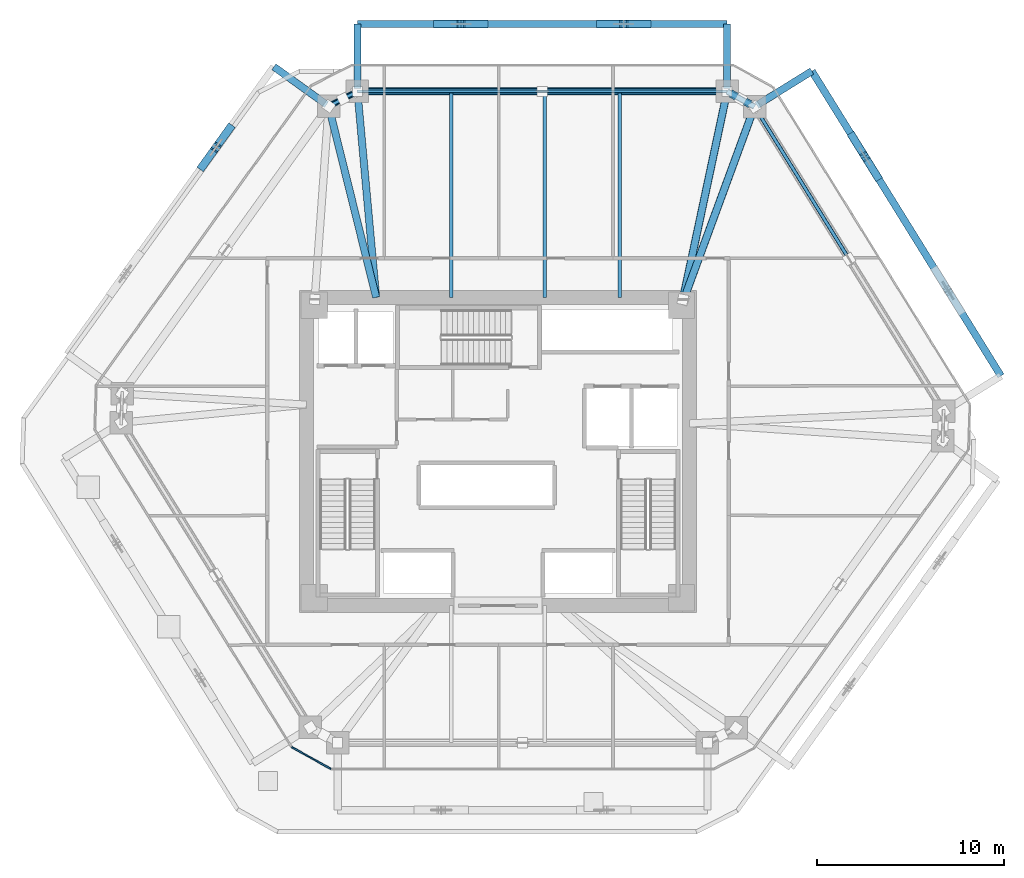
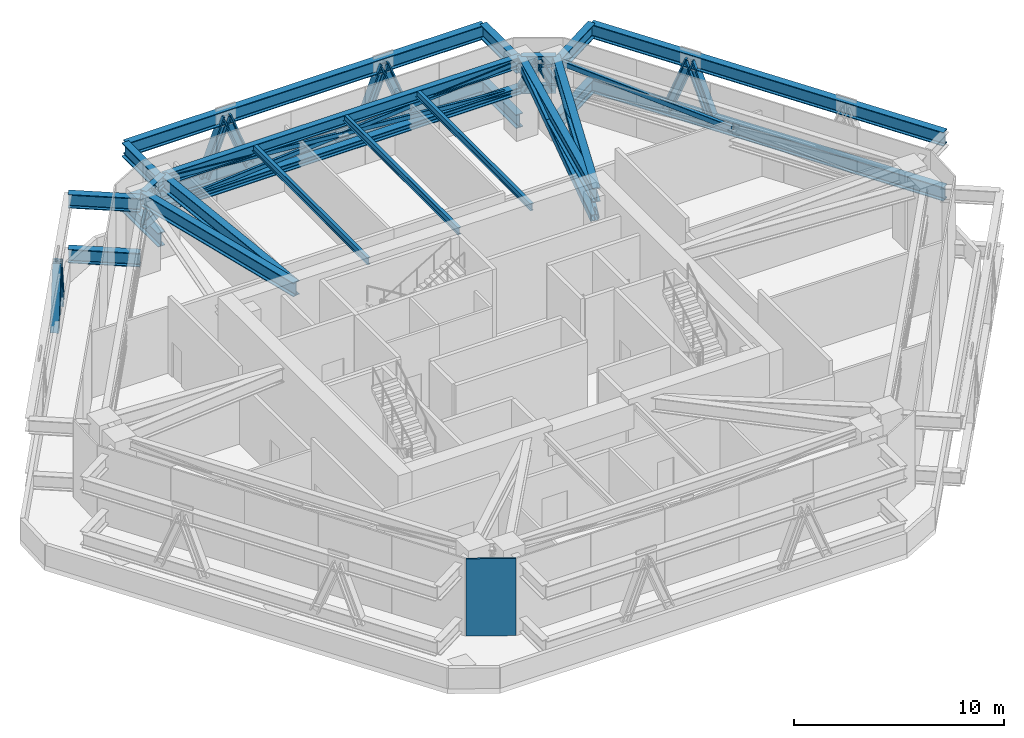
# One storey, part 3 of 10: 22 beams, 21 members, 1 plate.
"""IFC4 building model written with IfcOpenShell, lengths in metres."""

from ifc_helpers import new_model, si_unit, direction, frame, origin, origin_2d, place, context, subcontext, project, spatial, rectangle, hollow_rectangle, hollow_circle, i_section, extrude, source, transform, mapped, material, layer, layer_set, material_profile, profile_set, type_object, type_shapes, element, save


model = new_model("IFC4")

# Units and contexts
model_context = context("Model", 3, precision=1e-05, world=origin(), true_north=direction((0.0, 1.0)))
body_context = subcontext(model_context, "Body", "Model", "MODEL_VIEW")
ifc_project = project(units=[si_unit("LENGTHUNIT", "METRE"), si_unit("AREAUNIT", "SQUARE_METRE"), si_unit("VOLUMEUNIT", "CUBIC_METRE"), si_unit("PLANEANGLEUNIT", "RADIAN"), si_unit("MASSUNIT", "GRAM", prefix="KILO")], contexts=[model_context])

# Site, building, storey
site_placement = place(None, origin())
site = spatial("IfcSite", under=ifc_project, at=site_placement, CompositionType="ELEMENT")
building_placement = place(site_placement, origin())
building = spatial("IfcBuilding", under=site, at=building_placement, Name="Durnholm Broadcast Tower", CompositionType="ELEMENT")
storey_placement = place(building_placement, frame((0.0, 0.0, 88.5)))
storey = spatial("IfcBuildingStorey", under=building, at=storey_placement, Name="L23", CompositionType="ELEMENT", Elevation=88.5)

# Beams
ifc_material_1 = material(Name="Steel ASTM A992 Grade 50", Category="steel")
ifc_material_profile_1 = material_profile(ifc_material_1, i_section(OverallWidth=0.385009765625, OverallDepth=0.802978515625, WebThickness=0.023681640625, FlangeThickness=0.0419921875, FilletRadius=0.032958984375, at=origin_2d()), Name="W30X261")
ifc_profile_set_1 = profile_set([ifc_material_profile_1], Name="Steel ASTM A992 Grade 50")
beam_type_1 = type_object("IfcBeamType", Name="BM-EXO-TIE", PredefinedType="USERDEFINED", material=ifc_profile_set_1)
shared_shape_1 = source(origin(), body_context, "Body", "SweptSolid", [
    extrude(i_section(OverallWidth=0.385009765625, OverallDepth=0.802978515625, WebThickness=0.023681640625, FlangeThickness=0.0419921875, FilletRadius=0.032958984375, at=origin_2d()), origin(), (0.0, 0.0, 1.0), 3.4560546875),
])
for number, where, z_axis, x_axis, name in (
    (1, (12.22998046875, 19.35888671875, 0.550048828125), (0.0, 1.0, 0.0), (-1.0, 0.0, 0.0), "L23 zone-base exoskeleton stand-off tie bracket F4.1"),
    (2, (-7.498046875, 19.35888671875, 0.550048828125), (0.0, 1.0, 0.0), (-1.0, 0.0, 0.0), "L23 zone-base exoskeleton stand-off tie bracket F4.2"),
    (3, (12.22998046875, 19.35888671875, 3.74853515625), (0.0, 1.0, 0.0), (-1.0, 0.0, 0.0), "L23 exoskeleton stand-off tie bracket F4.1"),
    (4, (-7.498046875, 19.35888671875, 3.74853515625), (0.0, 1.0, 0.0), (-1.0, 0.0, 0.0), "L23 exoskeleton stand-off tie bracket F4.2"),
):
    element("IfcBeam", number, at=place(storey_placement, frame(where, z_axis=z_axis, x_axis=x_axis)), inside=storey, type_object=beam_type_1, Name=name, ObjectType="GIRDER", PredefinedType="USERDEFINED", context=body_context, shape_type="MappedRepresentation", body=[
        mapped(shared_shape_1, transform((0.0, 0.0, 0.0), x_axis=(1.0, 0.0, 0.0), y_axis=(0.0, 1.0, 0.0), z_axis=(0.0, 0.0, 1.0), scale=1.0)),
    ])
shared_shape_2 = source(origin(), body_context, "Body", "SweptSolid", [
    extrude(i_section(OverallWidth=0.385009765625, OverallDepth=0.802978515625, WebThickness=0.023681640625, FlangeThickness=0.0419921875, FilletRadius=0.032958984375, at=origin_2d()), origin(), (0.0, 0.0, 1.0), 3.455810546875),
])
for number, where, z_axis, x_axis, name in (
    (5, (13.814697265625, 18.477294921875, 0.550048828125), (0.849807128357, 0.527093772107, 0.0), (-0.527093772107, 0.849807128357, 0.0), "L23 zone-base exoskeleton stand-off tie bracket F3.2"),
    (6, (13.814697265625, 18.477294921875, 3.74853515625), (0.849807128357, 0.527093772107, 0.0), (-0.527093772107, 0.849807128357, 0.0), "L23 exoskeleton stand-off tie bracket F3.2"),
):
    element("IfcBeam", number, at=place(storey_placement, frame(where, z_axis=z_axis, x_axis=x_axis)), inside=storey, type_object=beam_type_1, Name=name, ObjectType="GIRDER", PredefinedType="USERDEFINED", context=body_context, shape_type="MappedRepresentation", body=[
        mapped(shared_shape_2, transform((0.0, 0.0, 0.0), x_axis=(1.0, 0.0, 0.0), y_axis=(0.0, 1.0, 0.0), z_axis=(0.0, 0.0, 1.0), scale=1.0)),
    ])
ifc_material_profile_2 = material_profile(ifc_material_1, i_section(OverallWidth=0.3291015625, OverallDepth=0.635009765625, WebThickness=0.017822265625, FlangeThickness=0.031005859375, FilletRadius=0.02783203125, at=origin_2d()), Name="W24X162")
ifc_profile_set_2 = profile_set([ifc_material_profile_2], Name="Steel ASTM A992 Grade 50")
beam_type_2 = type_object("IfcBeamType", Name="STL-SP-W24X162", PredefinedType="SPANDREL", material=ifc_profile_set_2)
shared_shape_3 = source(origin(), body_context, "Body", "SweptSolid", [
    extrude(i_section(OverallWidth=0.3291015625, OverallDepth=0.635009765625, WebThickness=0.017822265625, FlangeThickness=0.031005859375, FilletRadius=0.02783203125, at=origin_2d()), origin(), (0.0, 0.0, 1.0), 1.723876953125),
])
beam_1_placement = place(storey_placement, frame((-9.031982421875, 18.42822265625, 4.16748046875), z_axis=(0.889762904339, 0.456423020959, 0.0), x_axis=(-0.456423020959, 0.889762904339, 0.0)))
element("IfcBeam", 7, at=beam_1_placement, inside=storey, type_object=beam_type_2, Name="L23 perimeter spandrel girder 04", PredefinedType="SPANDREL", context=body_context, shape_type="MappedRepresentation", body=[
    mapped(shared_shape_3, transform((0.0, 0.0, 0.0), x_axis=(1.0, 0.0, 0.0), y_axis=(0.0, 1.0, 0.0), z_axis=(0.0, 0.0, 1.0), scale=1.0)),
])
shared_shape_4 = source(origin(), body_context, "Body", "SweptSolid", [
    extrude(i_section(OverallWidth=0.3291015625, OverallDepth=0.635009765625, WebThickness=0.017822265625, FlangeThickness=0.031005859375, FilletRadius=0.02783203125, at=origin_2d()), origin(), (0.0, 0.0, 1.0), 19.72802734375),
])
beam_2_placement = place(storey_placement, frame((-7.498046875, 19.215087890625, 4.16748046875), z_axis=(1.0, 0.0, 0.0), x_axis=(0.0, 1.0, 0.0)))
element("IfcBeam", 8, at=beam_2_placement, inside=storey, type_object=beam_type_2, Name="L23 perimeter spandrel girder 05", PredefinedType="SPANDREL", context=body_context, shape_type="MappedRepresentation", body=[
    mapped(shared_shape_4, transform((0.0, 0.0, 0.0), x_axis=(1.0, 0.0, 0.0), y_axis=(0.0, 1.0, 0.0), z_axis=(0.0, 0.0, 1.0), scale=1.0)),
])
shared_shape_5 = source(origin(), body_context, "Body", "SweptSolid", [
    extrude(i_section(OverallWidth=0.3291015625, OverallDepth=0.635009765625, WebThickness=0.017822265625, FlangeThickness=0.031005859375, FilletRadius=0.02783203125, at=origin_2d()), origin(), (0.0, 0.0, 1.0), 1.67333984375),
])
type_shapes(beam_type_2, [shared_shape_3, shared_shape_4, shared_shape_5])
beam_3_placement = place(storey_placement, frame((12.22998046875, 19.215087890625, 4.16748046875), z_axis=(0.873799169188, -0.486286964586, 0.0), x_axis=(0.486286964586, 0.873799169188, 0.0)))
element("IfcBeam", 9, at=beam_3_placement, inside=storey, type_object=beam_type_2, Name="L23 perimeter spandrel girder 06", PredefinedType="SPANDREL", context=body_context, shape_type="MappedRepresentation", body=[
    mapped(shared_shape_5, transform((0.0, 0.0, 0.0), x_axis=(1.0, 0.0, 0.0), y_axis=(0.0, 1.0, 0.0), z_axis=(0.0, 0.0, 1.0), scale=1.0)),
])
ifc_material_profile_3 = material_profile(ifc_material_1, i_section(OverallWidth=0.385009765625, OverallDepth=0.802978515625, WebThickness=0.023681640625, FlangeThickness=0.0419921875, FilletRadius=0.032958984375, at=origin_2d()), Name="W30X261")
ifc_profile_set_3 = profile_set([ifc_material_profile_3], Name="Steel ASTM A992 Grade 50")
beam_type_3 = type_object("IfcBeamType", Name="STL-GR-W30X261", PredefinedType="USERDEFINED", material=ifc_profile_set_3)
shared_shape_6 = source(origin(), body_context, "Body", "SweptSolid", [
    extrude(i_section(OverallWidth=0.385009765625, OverallDepth=0.802978515625, WebThickness=0.023681640625, FlangeThickness=0.0419921875, FilletRadius=0.032958984375, at=origin_2d()), origin(), (0.0, 0.0, 1.0), 10.5126953125),
])
beam_4_placement = place(storey_placement, frame((-6.5, 8.22509765625, 4.08349609375), z_axis=(-0.240852230194, 0.970561797729, 0.0), x_axis=(-0.970561797729, -0.240852230194, 0.0)))
element("IfcBeam", 10, at=beam_4_placement, inside=storey, type_object=beam_type_3, Name="L23 radial primary floor girder 04", ObjectType="GIRDER", PredefinedType="USERDEFINED", context=body_context, shape_type="MappedRepresentation", body=[
    mapped(shared_shape_6, transform((0.0, 0.0, 0.0), x_axis=(1.0, 0.0, 0.0), y_axis=(0.0, 1.0, 0.0), z_axis=(0.0, 0.0, 1.0), scale=1.0)),
])
shared_shape_7 = source(origin(), body_context, "Body", "SweptSolid", [
    extrude(i_section(OverallWidth=0.385009765625, OverallDepth=0.802978515625, WebThickness=0.023681640625, FlangeThickness=0.0419921875, FilletRadius=0.032958984375, at=origin_2d()), origin(), (0.0, 0.0, 1.0), 11.03515625),
])
beam_5_placement = place(storey_placement, frame((-6.5, 8.22509765625, 4.08349609375), z_axis=(-0.090441991612, 0.995901725148, 0.0), x_axis=(-0.995901725148, -0.090441991612, 0.0)))
element("IfcBeam", 11, at=beam_5_placement, inside=storey, type_object=beam_type_3, Name="L23 radial primary floor girder 05", ObjectType="GIRDER", PredefinedType="USERDEFINED", context=body_context, shape_type="MappedRepresentation", body=[
    mapped(shared_shape_7, transform((0.0, 0.0, 0.0), x_axis=(1.0, 0.0, 0.0), y_axis=(0.0, 1.0, 0.0), z_axis=(0.0, 0.0, 1.0), scale=1.0)),
])
shared_shape_8 = source(origin(), body_context, "Body", "SweptSolid", [
    extrude(i_section(OverallWidth=0.385009765625, OverallDepth=0.802978515625, WebThickness=0.023681640625, FlangeThickness=0.0419921875, FilletRadius=0.032958984375, at=origin_2d()), origin(), (0.0, 0.0, 1.0), 11.6708984375),
])
beam_6_placement = place(storey_placement, frame((9.800048828125, 7.800048828125, 4.08349609375), z_axis=(0.208206004915, 0.97808499606, 0.0), x_axis=(-0.97808499606, 0.208206004915, 0.0)))
element("IfcBeam", 12, at=beam_6_placement, inside=storey, type_object=beam_type_3, Name="L23 radial primary floor girder 06", ObjectType="GIRDER", PredefinedType="USERDEFINED", context=body_context, shape_type="MappedRepresentation", body=[
    mapped(shared_shape_8, transform((0.0, 0.0, 0.0), x_axis=(1.0, 0.0, 0.0), y_axis=(0.0, 1.0, 0.0), z_axis=(0.0, 0.0, 1.0), scale=1.0)),
])
shared_shape_9 = source(origin(), body_context, "Body", "SweptSolid", [
    extrude(i_section(OverallWidth=0.385009765625, OverallDepth=0.802978515625, WebThickness=0.023681640625, FlangeThickness=0.0419921875, FilletRadius=0.032958984375, at=origin_2d()), origin(), (0.0, 0.0, 1.0), 11.293212890625),
])
type_shapes(beam_type_3, [shared_shape_6, shared_shape_7, shared_shape_8, shared_shape_9])
beam_7_placement = place(storey_placement, frame((9.800048828125, 7.800048828125, 4.08349609375), z_axis=(0.344640193759, 0.938734859716, 0.0), x_axis=(-0.938734859716, 0.344640193759, 0.0)))
element("IfcBeam", 13, at=beam_7_placement, inside=storey, type_object=beam_type_3, Name="L23 radial primary floor girder 07", ObjectType="GIRDER", PredefinedType="USERDEFINED", context=body_context, shape_type="MappedRepresentation", body=[
    mapped(shared_shape_9, transform((0.0, 0.0, 0.0), x_axis=(1.0, 0.0, 0.0), y_axis=(0.0, 1.0, 0.0), z_axis=(0.0, 0.0, 1.0), scale=1.0)),
])
ifc_material_profile_4 = material_profile(ifc_material_1, i_section(OverallWidth=0.177734375, OverallDepth=0.40673828125, WebThickness=0.0078125, FlangeThickness=0.0126953125, FilletRadius=0.01904296875, at=origin_2d()), Name="W16X40")
ifc_profile_set_4 = profile_set([ifc_material_profile_4], Name="Steel ASTM A992 Grade 50")
beam_type_4 = type_object("IfcBeamType", Name="STL-BJ-W16X40", PredefinedType="JOIST", material=ifc_profile_set_4)
shared_shape_10 = source(origin(), body_context, "Body", "SweptSolid", [
    extrude(i_section(OverallWidth=0.177734375, OverallDepth=0.40673828125, WebThickness=0.0078125, FlangeThickness=0.0126953125, FilletRadius=0.01904296875, at=origin_2d()), origin(), (0.0, 0.0, 1.0), 10.989990234375),
])
type_shapes(beam_type_4, [shared_shape_10])
for number, where, z_axis, x_axis, name in (
    (14, (-2.5, 8.22509765625, 4.281494140625), (0.0, 1.0, 0.0), (-1.0, 0.0, 0.0), "L23 secondary floor joist 5.2"),
    (15, (2.5, 8.22509765625, 4.281494140625), (0.0, 1.0, 0.0), (-1.0, 0.0, 0.0), "L23 secondary floor joist 6.2"),
    (16, (6.5, 8.22509765625, 4.281494140625), (0.0, 1.0, 0.0), (-1.0, 0.0, 0.0), "L23 secondary floor joist 7.2"),
):
    element("IfcBeam", number, at=place(storey_placement, frame(where, z_axis=z_axis, x_axis=x_axis)), inside=storey, type_object=beam_type_4, Name=name, PredefinedType="JOIST", context=body_context, shape_type="MappedRepresentation", body=[
        mapped(shared_shape_10, transform((0.0, 0.0, 0.0), x_axis=(1.0, 0.0, 0.0), y_axis=(0.0, 1.0, 0.0), z_axis=(0.0, 0.0, 1.0), scale=1.0)),
    ])

# Members
ifc_material_2 = material(Name="Steel ASTM A500 Grade C", Category="steel")
ifc_material_profile_5 = material_profile(ifc_material_2, hollow_rectangle(XDim=0.3046875, YDim=0.508056640625, WallThickness=0.014892578125, InnerFilletRadius=0.022216796875, OuterFilletRadius=0.037109375, at=origin_2d()), Name="HSS20X12X5/8")
ifc_profile_set_5 = profile_set([ifc_material_profile_5], Name="Steel ASTM A500 Grade C")
member_type_1 = type_object("IfcMemberType", Name="STL-TC-HSS20X12", PredefinedType="CHORD", material=ifc_profile_set_5)
shared_shape_11 = source(origin(), body_context, "Body", "SweptSolid", [
    extrude(hollow_rectangle(XDim=0.3046875, YDim=0.508056640625, WallThickness=0.014892578125, InnerFilletRadius=0.022216796875, OuterFilletRadius=0.037109375, at=origin_2d()), origin(), (0.0, 0.0, 1.0), 1.723876953125),
])
member_1_placement = place(storey_placement, frame((-9.031982421875, 18.42822265625, 2.550048828125), z_axis=(0.889762904339, 0.456423020959, 0.0), x_axis=(-0.456423020959, 0.889762904339, 0.0)))
element("IfcMember", 17, at=member_1_placement, inside=storey, type_object=member_type_1, Name="L23 perimeter belt-truss bottom chord 04", PredefinedType="CHORD", context=body_context, shape_type="MappedRepresentation", body=[
    mapped(shared_shape_11, transform((0.0, 0.0, 0.0), x_axis=(1.0, 0.0, 0.0), y_axis=(0.0, 1.0, 0.0), z_axis=(0.0, 0.0, 1.0), scale=1.0)),
])
ifc_material_profile_6 = material_profile(ifc_material_2, hollow_rectangle(XDim=0.203125, YDim=0.3046875, WallThickness=0.01171875, InnerFilletRadius=0.017578125, OuterFilletRadius=0.029541015625, at=origin_2d()), Name="HSS12X8X1/2")
ifc_profile_set_6 = profile_set([ifc_material_profile_6], Name="Steel ASTM A500 Grade C")
member_type_2 = type_object("IfcMemberType", Name="STL-TB-HSS12X8", PredefinedType="BRACE", material=ifc_profile_set_6)
shared_shape_12 = source(origin(), body_context, "Body", "SweptSolid", [
    extrude(hollow_rectangle(XDim=0.203125, YDim=0.3046875, WallThickness=0.01171875, InnerFilletRadius=0.017578125, OuterFilletRadius=0.029541015625, at=origin_2d()), origin(), (0.0, 0.0, 1.0), 1.8173828125),
])
for number, where, z_axis, x_axis, name in (
    (18, (-9.031982421875, 18.42822265625, 2.550048828125), (0.422099533715, 0.216423408279, 0.880336805993), (-0.456253399361, 0.889849894966, 0.0), "L23 belt-truss chevron brace 04.1"),
    (19, (-7.498046875, 19.215087890625, 2.550048828125), (-0.421976844758, -0.216563729306, 0.880361115473), (0.456592646788, -0.889675870696, 0.0), "L23 belt-truss chevron brace 04.2"),
):
    element("IfcMember", number, at=place(storey_placement, frame(where, z_axis=z_axis, x_axis=x_axis)), inside=storey, type_object=member_type_2, Name=name, PredefinedType="BRACE", context=body_context, shape_type="MappedRepresentation", body=[
        mapped(shared_shape_12, transform((0.0, 0.0, 0.0), x_axis=(1.0, 0.0, 0.0), y_axis=(0.0, 1.0, 0.0), z_axis=(0.0, 0.0, 1.0), scale=1.0)),
    ])
ifc_material_profile_7 = material_profile(ifc_material_1, i_section(OverallWidth=0.4013671875, OverallDepth=0.3994140625, WebThickness=0.02490234375, FlangeThickness=0.03955078125, FilletRadius=0.030517578125, at=origin_2d()), Name="W14X211")
ifc_profile_set_7 = profile_set([ifc_material_profile_7], Name="Steel ASTM A992 Grade 50")
member_type_3 = type_object("IfcMemberType", Name="STL-TC-W14X211", PredefinedType="CHORD", material=ifc_profile_set_7)
shared_shape_13 = source(origin(), body_context, "Body", "SweptSolid", [
    extrude(i_section(OverallWidth=0.4013671875, OverallDepth=0.3994140625, WebThickness=0.02490234375, FlangeThickness=0.03955078125, FilletRadius=0.030517578125, at=origin_2d()), origin(), (0.0, 0.0, 1.0), 19.72802734375),
])
type_shapes(member_type_3, [shared_shape_13])
member_2_placement = place(storey_placement, frame((-7.498046875, 19.215087890625, 2.550048828125), z_axis=(1.0, 0.0, 0.0), x_axis=(0.0, 1.0, 0.0)))
element("IfcMember", 20, at=member_2_placement, inside=storey, type_object=member_type_3, Name="L23 perimeter belt-truss bottom chord 05", PredefinedType="CHORD", context=body_context, shape_type="MappedRepresentation", body=[
    mapped(shared_shape_13, transform((0.0, 0.0, 0.0), x_axis=(1.0, 0.0, 0.0), y_axis=(0.0, 1.0, 0.0), z_axis=(0.0, 0.0, 1.0), scale=1.0)),
])
ifc_material_profile_8 = material_profile(ifc_material_2, hollow_rectangle(XDim=0.15234375, YDim=0.25390625, WallThickness=0.0087890625, InnerFilletRadius=0.013427734375, OuterFilletRadius=0.022216796875, at=origin_2d()), Name="HSS10X6X3/8")
ifc_profile_set_8 = profile_set([ifc_material_profile_8], Name="Steel ASTM A500 Grade C")
member_type_4 = type_object("IfcMemberType", Name="STL-TB-HSS10X6", PredefinedType="BRACE", material=ifc_profile_set_8)
shared_shape_14 = source(origin(), body_context, "Body", "SweptSolid", [
    extrude(hollow_rectangle(XDim=0.15234375, YDim=0.25390625, WallThickness=0.0087890625, InnerFilletRadius=0.013427734375, OuterFilletRadius=0.022216796875, at=origin_2d()), origin(), (0.0, 0.0, 1.0), 19.792724609375),
])
member_3_placement = place(storey_placement, frame((-7.498046875, 19.215087890625, 2.550048828125), z_axis=(0.996727893301, 0.0, 0.0808301102), x_axis=(0.0, 1.0, 0.0)))
element("IfcMember", 21, at=member_3_placement, inside=storey, type_object=member_type_4, Name="L23 belt-truss continuous X-diagonal brace 05", PredefinedType="BRACE", context=body_context, shape_type="MappedRepresentation", body=[
    mapped(shared_shape_14, transform((0.0, 0.0, 0.0), x_axis=(1.0, 0.0, 0.0), y_axis=(0.0, 1.0, 0.0), z_axis=(0.0, 0.0, 1.0), scale=1.0)),
])
shared_shape_15 = source(origin(), body_context, "Body", "SweptSolid", [
    extrude(hollow_rectangle(XDim=0.15234375, YDim=0.25390625, WallThickness=0.0087890625, InnerFilletRadius=0.013427734375, OuterFilletRadius=0.022216796875, at=origin_2d()), origin(), (0.0, 0.0, 1.0), 9.896484375),
])
type_shapes(member_type_4, [shared_shape_14, shared_shape_15])
for number, where, z_axis, x_axis, name in (
    (22, (12.22998046875, 19.215087890625, 2.550048828125), (-0.996726899464, 0.0, 0.080842364417), (0.0, -1.0, 0.0), "L23 belt-truss split X-diagonal segment 05.1"),
    (23, (2.365966796875, 19.215087890625, 3.35009765625), (-0.99672888699, 0.0, 0.080817855946), (0.0, -1.0, 0.0), "L23 belt-truss split X-diagonal segment 05.2"),
):
    element("IfcMember", number, at=place(storey_placement, frame(where, z_axis=z_axis, x_axis=x_axis)), inside=storey, type_object=member_type_4, Name=name, PredefinedType="BRACE", context=body_context, shape_type="MappedRepresentation", body=[
        mapped(shared_shape_15, transform((0.0, 0.0, 0.0), x_axis=(1.0, 0.0, 0.0), y_axis=(0.0, 1.0, 0.0), z_axis=(0.0, 0.0, 1.0), scale=1.0)),
    ])
shared_shape_16 = source(origin(), body_context, "Body", "SweptSolid", [
    extrude(hollow_rectangle(XDim=0.3046875, YDim=0.508056640625, WallThickness=0.014892578125, InnerFilletRadius=0.022216796875, OuterFilletRadius=0.037109375, at=origin_2d()), origin(), (0.0, 0.0, 1.0), 1.67333984375),
])
type_shapes(member_type_1, [shared_shape_11, shared_shape_16])
member_4_placement = place(storey_placement, frame((12.22998046875, 19.215087890625, 2.550048828125), z_axis=(0.873799169188, -0.486286964586, 0.0), x_axis=(0.486286964586, 0.873799169188, 0.0)))
element("IfcMember", 24, at=member_4_placement, inside=storey, type_object=member_type_1, Name="L23 perimeter belt-truss bottom chord 06", PredefinedType="CHORD", context=body_context, shape_type="MappedRepresentation", body=[
    mapped(shared_shape_16, transform((0.0, 0.0, 0.0), x_axis=(1.0, 0.0, 0.0), y_axis=(0.0, 1.0, 0.0), z_axis=(0.0, 0.0, 1.0), scale=1.0)),
])
ifc_material_3 = material(Name="Steel ASTM A913 Grade 65", Category="steel")
ifc_material_profile_9 = material_profile(ifc_material_3, i_section(OverallWidth=0.412109375, OverallDepth=0.434814453125, WebThickness=0.035888671875, FlangeThickness=0.057373046875, FilletRadius=0.030517578125, at=origin_2d()), Name="W14X311")
ifc_profile_set_9 = profile_set([ifc_material_profile_9], Name="Steel ASTM A913 Grade 65")
member_type_5 = type_object("IfcMemberType", Name="STL-DG-W14X311", PredefinedType="BRACE", material=ifc_profile_set_9)
shared_shape_17 = source(origin(), body_context, "Body", "SweptSolid", [
    extrude(i_section(OverallWidth=0.412109375, OverallDepth=0.434814453125, WebThickness=0.035888671875, FlangeThickness=0.057373046875, FilletRadius=0.030517578125, at=origin_2d()), origin(), (0.0, 0.0, 1.0), 1.805419921875),
])
type_shapes(member_type_5, [shared_shape_17])
for number, where, z_axis, x_axis, name in (
    (25, (12.22998046875, 19.215087890625, 2.550048828125), (0.404985985146, -0.225412900581, 0.886101222258), (0.486336357122, 0.873771679412, 0.0), "L23 belt-truss chevron brace 06.1"),
    (26, (13.692138671875, 18.4013671875, 2.550048828125), (-0.404885272143, 0.22529688156, 0.886176749617), (-0.486237550889, -0.873826667083, 0.0), "L23 belt-truss chevron brace 06.2"),
):
    element("IfcMember", number, at=place(storey_placement, frame(where, z_axis=z_axis, x_axis=x_axis)), inside=storey, type_object=member_type_5, Name=name, PredefinedType="BRACE", context=body_context, shape_type="MappedRepresentation", body=[
        mapped(shared_shape_17, transform((0.0, 0.0, 0.0), x_axis=(1.0, 0.0, 0.0), y_axis=(0.0, 1.0, 0.0), z_axis=(0.0, 0.0, 1.0), scale=1.0)),
    ])
shared_shape_18 = source(origin(), body_context, "Body", "SweptSolid", [
    extrude(hollow_rectangle(XDim=0.203125, YDim=0.3046875, WallThickness=0.01171875, InnerFilletRadius=0.017578125, OuterFilletRadius=0.029541015625, at=origin_2d()), origin(), (0.0, 0.0, 1.0), 9.60302734375),
])
type_shapes(member_type_2, [shared_shape_12, shared_shape_18])
member_5_placement = place(storey_placement, frame((18.736328125, 10.26904296875, 3.35009765625), z_axis=(-0.525270479559, 0.846849604283, 0.083286679785), x_axis=(-0.849802132288, -0.527101826935, 0.0)))
element("IfcMember", 27, at=member_5_placement, inside=storey, type_object=member_type_2, Name="L23 belt-truss split X-diagonal segment 07.2", PredefinedType="BRACE", context=body_context, shape_type="MappedRepresentation", body=[
    mapped(shared_shape_18, transform((0.0, 0.0, 0.0), x_axis=(1.0, 0.0, 0.0), y_axis=(0.0, 1.0, 0.0), z_axis=(0.0, 0.0, 1.0), scale=1.0)),
])
ifc_material_profile_10 = material_profile(ifc_material_2, hollow_rectangle(XDim=0.406494140625, YDim=0.406494140625, WallThickness=0.014892578125, InnerFilletRadius=0.022216796875, OuterFilletRadius=0.037109375, at=origin_2d()), Name="HSS16X16X5/8")
ifc_profile_set_10 = profile_set([ifc_material_profile_10], Name="Steel ASTM A500 Grade C")
member_type_6 = type_object("IfcMemberType", Name="STL-OS-HSS16X16", PredefinedType="STRUT", material=ifc_profile_set_10)
shared_shape_19 = source(origin(), body_context, "Body", "SweptSolid", [
    extrude(hollow_rectangle(XDim=0.406494140625, YDim=0.406494140625, WallThickness=0.014892578125, InnerFilletRadius=0.022216796875, OuterFilletRadius=0.037109375, at=origin_2d()), origin(), (0.0, 0.0, 1.0), 11.462890625),
])
type_shapes(member_type_6, [shared_shape_19])
member_6_placement = place(storey_placement, frame((9.86669921875, 8.113037109375, 2.550048828125), z_axis=(0.206166197304, 0.968512567788, 0.139566848237), x_axis=(-0.97808543092, 0.208203962073, 0.0)))
element("IfcMember", 28, at=member_6_placement, inside=storey, type_object=member_type_6, Name="L23 radial core-to-perimeter outrigger strut 06", PredefinedType="STRUT", context=body_context, shape_type="MappedRepresentation", body=[
    mapped(shared_shape_19, transform((0.0, 0.0, 0.0), x_axis=(1.0, 0.0, 0.0), y_axis=(0.0, 1.0, 0.0), z_axis=(0.0, 0.0, 1.0), scale=1.0)),
])
ifc_material_profile_11 = material_profile(ifc_material_2, hollow_circle(Radius=0.203125, WallThickness=0.01171875, at=origin_2d()), Name="HSS16.000X0.500")
ifc_profile_set_11 = profile_set([ifc_material_profile_11], Name="Steel ASTM A500 Grade C")
member_type_7 = type_object("IfcMemberType", Name="STL-OS-CHS16", PredefinedType="STRUT", material=ifc_profile_set_11)
shared_shape_20 = source(origin(), body_context, "Body", "SweptSolid", [
    extrude(hollow_circle(Radius=0.203125, WallThickness=0.01171875, at=origin_2d()), origin(), (0.0, 0.0, 1.0), 11.08935546875),
])
type_shapes(member_type_7, [shared_shape_20])
member_7_placement = place(storey_placement, frame((9.910400390625, 8.100341796875, 2.550048828125), z_axis=(0.34102639866, 0.928917161954, 0.144270238245), x_axis=(-0.9387379323, 0.344631824505, 0.0)))
element("IfcMember", 29, at=member_7_placement, inside=storey, type_object=member_type_7, Name="L23 radial core-to-perimeter outrigger strut 07", PredefinedType="STRUT", context=body_context, shape_type="MappedRepresentation", body=[
    mapped(shared_shape_20, transform((0.0, 0.0, 0.0), x_axis=(1.0, 0.0, 0.0), y_axis=(0.0, 1.0, 0.0), z_axis=(0.0, 0.0, 1.0), scale=1.0)),
])

# Beams
shared_shape_21 = source(origin(), body_context, "Body", "SweptSolid", [
    extrude(i_section(OverallWidth=0.385009765625, OverallDepth=0.802978515625, WebThickness=0.023681640625, FlangeThickness=0.0419921875, FilletRadius=0.032958984375, at=origin_2d()), origin(), (0.0, 0.0, 1.0), 19.72802734375),
])
for number, where, z_axis, x_axis, name in (
    (30, (12.22998046875, 22.81494140625, 0.550048828125), (-1.0, 0.0, 0.0), (0.0, -1.0, 0.0), "L23 zone-base exoskeleton collector spandrel F4"),
    (31, (12.22998046875, 22.81494140625, 3.74853515625), (-1.0, 0.0, 0.0), (0.0, -1.0, 0.0), "L23 exoskeleton collector spandrel F4"),
):
    element("IfcBeam", number, at=place(storey_placement, frame(where, z_axis=z_axis, x_axis=x_axis)), inside=storey, type_object=beam_type_1, Name=name, PredefinedType="SPANDREL", context=body_context, shape_type="MappedRepresentation", body=[
        mapped(shared_shape_21, transform((0.0, 0.0, 0.0), x_axis=(1.0, 0.0, 0.0), y_axis=(0.0, 1.0, 0.0), z_axis=(0.0, 0.0, 1.0), scale=1.0)),
    ])

# Members
ifc_material_profile_12 = material_profile(ifc_material_3, i_section(OverallWidth=0.424072265625, OverallDepth=0.47412109375, WebThickness=0.047607421875, FlangeThickness=0.0771484375, FilletRadius=0.030517578125, at=origin_2d()), Name="W14X426")
ifc_profile_set_12 = profile_set([ifc_material_profile_12], Name="Steel ASTM A913 Grade 65")
member_type_8 = type_object("IfcMemberType", Name="STL-DG-W14X426", PredefinedType="BRACE", material=ifc_profile_set_12)
shared_shape_22 = source(origin(), body_context, "Body", "SweptSolid", [
    extrude(i_section(OverallWidth=0.424072265625, OverallDepth=0.47412109375, WebThickness=0.047607421875, FlangeThickness=0.0771484375, FilletRadius=0.030517578125, at=origin_2d()), origin(), (0.0, 0.0, 1.0), 3.42822265625),
])
type_shapes(member_type_8, [shared_shape_22])
for number, where, z_axis, x_axis, name in (
    (32, (20.2265625, 14.6962890625, 0.550048828125), (-0.189650908145, 0.305805857896, 0.933014099741), (-0.849838868368, -0.527042595823, 0.0), "L23 stand-off diagrid brace F3.D2.1"),
    (33, (18.92578125, 16.793212890625, 0.550048828125), (0.189784080176, -0.305862147977, 0.932968568252), (0.849716575602, 0.52723973783, 0.0), "L23 stand-off diagrid brace F3.D2.2"),
    (34, (7.93994140625, 22.81494140625, 0.550048828125), (-0.359919004433, 0.0, 0.932983553043), (0.0, -1.0, 0.0), "L23 stand-off diagrid brace F4.D1.1"),
    (35, (5.472412109375, 22.81494140625, 0.550048828125), (0.359857012638, 0.0, 0.93300746538), (0.0, 1.0, 0.0), "L23 stand-off diagrid brace F4.D1.2"),
    (36, (-0.740478515625, 22.81494140625, 0.550048828125), (-0.359919004433, 0.0, 0.932983553043), (0.0, -1.0, 0.0), "L23 stand-off diagrid brace F4.D2.1"),
    (37, (-3.2080078125, 22.81494140625, 0.550048828125), (0.359857012638, 0.0, 0.93300746538), (0.0, 1.0, 0.0), "L23 stand-off diagrid brace F4.D2.2"),
    (38, (-14.321044921875, 17.236328125, 0.550048828125), (-0.209945885714, -0.292272020003, 0.933005783152), (0.812179469647, -0.583407669717, 0.0), "L23 stand-off diagrid brace F5.D1.1"),
    (39, (-15.7607421875, 15.232421875, 0.550048828125), (0.210013961542, 0.292267649429, 0.932991831183), (-0.812085698931, 0.583538188632, 0.0), "L23 stand-off diagrid brace F5.D1.2"),
):
    element("IfcMember", number, at=place(storey_placement, frame(where, z_axis=z_axis, x_axis=x_axis)), inside=storey, type_object=member_type_8, Name=name, PredefinedType="BRACE", context=body_context, shape_type="MappedRepresentation", body=[
        mapped(shared_shape_22, transform((0.0, 0.0, 0.0), x_axis=(1.0, 0.0, 0.0), y_axis=(0.0, 1.0, 0.0), z_axis=(0.0, 0.0, 1.0), scale=1.0)),
    ])

# Beams
shared_shape_23 = source(origin(), body_context, "Body", "SweptSolid", [
    extrude(i_section(OverallWidth=0.385009765625, OverallDepth=0.802978515625, WebThickness=0.023681640625, FlangeThickness=0.0419921875, FilletRadius=0.032958984375, at=origin_2d()), origin(), (0.0, 0.0, 1.0), 19.139404296875),
])
for number, where, z_axis, x_axis, name in (
    (40, (26.840087890625, 4.0341796875, 0.550048828125), (-0.527111038734, 0.84979641847, 0.0), (-0.84979641847, -0.527111038734, 0.0), "L23 zone-base exoskeleton collector spandrel F3"),
    (41, (26.840087890625, 4.0341796875, 3.74853515625), (-0.527111038734, 0.84979641847, 0.0), (-0.84979641847, -0.527111038734, 0.0), "L23 exoskeleton collector spandrel F3"),
):
    element("IfcBeam", number, at=place(storey_placement, frame(where, z_axis=z_axis, x_axis=x_axis)), inside=storey, type_object=beam_type_1, Name=name, PredefinedType="SPANDREL", context=body_context, shape_type="MappedRepresentation", body=[
        mapped(shared_shape_23, transform((0.0, 0.0, 0.0), x_axis=(1.0, 0.0, 0.0), y_axis=(0.0, 1.0, 0.0), z_axis=(0.0, 0.0, 1.0), scale=1.0)),
    ])
shared_shape_24 = source(origin(), body_context, "Body", "SweptSolid", [
    extrude(i_section(OverallWidth=0.385009765625, OverallDepth=0.802978515625, WebThickness=0.023681640625, FlangeThickness=0.0419921875, FilletRadius=0.032958984375, at=origin_2d()), origin(), (0.0, 0.0, 1.0), 3.456298828125),
])
type_shapes(beam_type_1, [shared_shape_1, shared_shape_2, shared_shape_21, shared_shape_23, shared_shape_24])
for number, where, z_axis, x_axis, name in (
    (42, (-9.14892578125, 18.51220703125, 0.550048828125), (-0.812131479052, 0.583474473077, 0.0), (-0.583474473077, -0.812131479052, 0.0), "L23 zone-base exoskeleton stand-off tie bracket F5.1"),
    (43, (-9.14892578125, 18.51220703125, 3.74853515625), (-0.812131479052, 0.583474473077, 0.0), (-0.583474473077, -0.812131479052, 0.0), "L23 exoskeleton stand-off tie bracket F5.1"),
):
    element("IfcBeam", number, at=place(storey_placement, frame(where, z_axis=z_axis, x_axis=x_axis)), inside=storey, type_object=beam_type_1, Name=name, ObjectType="GIRDER", PredefinedType="USERDEFINED", context=body_context, shape_type="MappedRepresentation", body=[
        mapped(shared_shape_24, transform((0.0, 0.0, 0.0), x_axis=(1.0, 0.0, 0.0), y_axis=(0.0, 1.0, 0.0), z_axis=(0.0, 0.0, 1.0), scale=1.0)),
    ])

# Plate
ifc_material_4 = material(Name="Anodised Architectural Aluminium Louvre Screen", Category="aluminium")
ifc_layer = layer(ifc_material_4, 0.0849609375)
ifc_layer_set = layer_set([ifc_layer], Name="Anodised Architectural Aluminium Louvre Screen")
plate_type = type_object("IfcPlateType", Name="PLT-CROWN-SCR", PredefinedType="USERDEFINED", material=ifc_layer_set)
shared_shape_25 = source(origin(), body_context, "Body", "SweptSolid", [
    extrude(rectangle(XDim=2.3798828125, YDim=0.0849609375, at=origin_2d()), origin(), (0.0, 0.0, 1.0), 4.5),
])
type_shapes(plate_type, [shared_shape_25])
plate_placement = place(storey_placement, frame((-9.9638671875, -16.353515625, 0.0), z_axis=(0.0, 0.0, 1.0), x_axis=(-0.873857091263, 0.486182870995, 0.0)))
element("IfcPlate", 44, at=plate_placement, inside=storey, type_object=plate_type, Name="L23 mechanical louvre screen panel SCR-L23-F11.1", ObjectType="SCREEN", PredefinedType="USERDEFINED", context=body_context, shape_type="MappedRepresentation", body=[
    mapped(shared_shape_25, transform((0.0, 0.0, 0.0), x_axis=(1.0, 0.0, 0.0), y_axis=(0.0, 1.0, 0.0), z_axis=(0.0, 0.0, 1.0), scale=1.0)),
])

save(model, "model.ifc")
